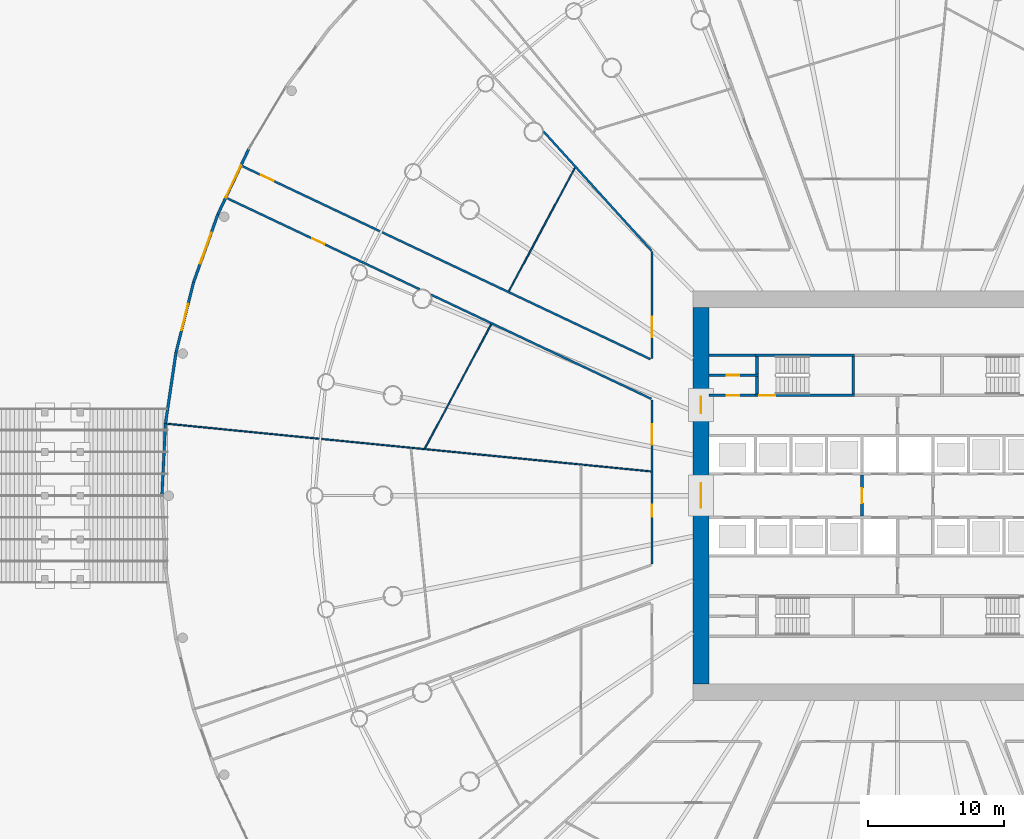
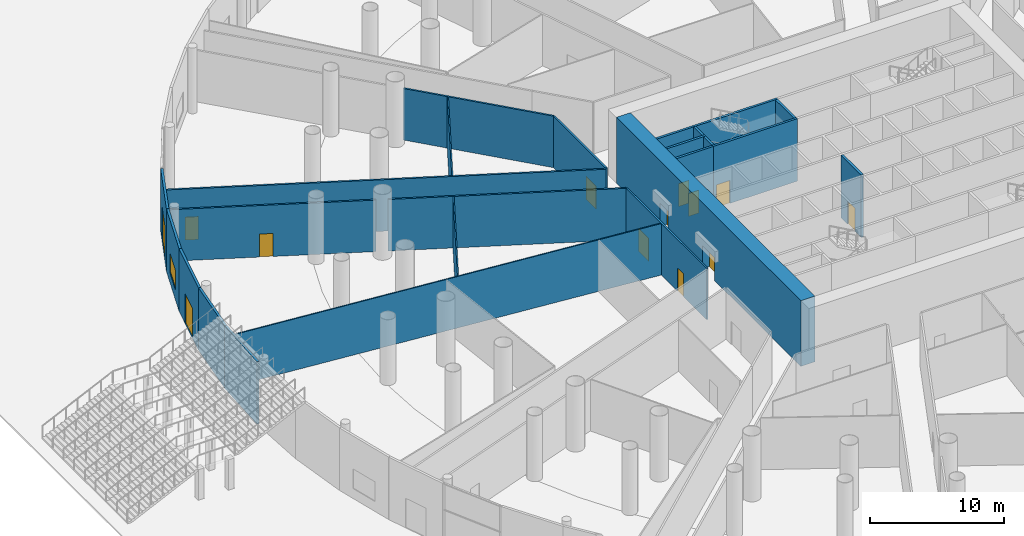
# One storey, part 18 of 33: 24 walls, 13 doors, 1 window, 14 openings.
"""IFC4 building model written with IfcOpenShell, lengths in metres."""

from ifc_helpers import new_model, si_unit, direction, frame, frame_2d, origin, place, context, subcontext, project, spatial, polyline, rectangle, outline, extrude, material, layer, layer_set, type_object, element, fill, save


model = new_model("IFC4")

# Units and contexts
model_context = context("Model", 3, precision=1e-05, world=origin(), true_north=direction((0.0, 1.0)))
body_context = subcontext(model_context, "Body", "Model", "MODEL_VIEW")
ifc_project = project(units=[si_unit("LENGTHUNIT", "METRE"), si_unit("AREAUNIT", "SQUARE_METRE"), si_unit("VOLUMEUNIT", "CUBIC_METRE"), si_unit("PLANEANGLEUNIT", "RADIAN"), si_unit("MASSUNIT", "GRAM", prefix="KILO")], contexts=[model_context])

# Site, building, storey
site_placement = place(None, origin())
site = spatial("IfcSite", under=ifc_project, at=site_placement, CompositionType="ELEMENT")
building_placement = place(site_placement, origin())
building = spatial("IfcBuilding", under=site, at=building_placement, Name="Corvane Civic Tower", CompositionType="ELEMENT")
storey_placement = place(building_placement, origin())
storey = spatial("IfcBuildingStorey", under=building, at=storey_placement, Name="G", CompositionType="ELEMENT", Elevation=0.0)

# Wall, openings, doors
ifc_material_1 = material(Name="Concrete C80/95", Category="concrete")
ifc_layer_1 = layer(ifc_material_1, 1.199951171875)
ifc_layer_set_1 = layer_set([ifc_layer_1], Name="Concrete C80/95")
wall_type_1 = type_object("IfcWallType", Name="CORE WALL 1200 C80/95", PredefinedType="SHEAR", material=ifc_layer_set_1)
wall_1_placement = place(storey_placement, frame((-14.39990234375, -13.800048828125, 0.0), z_axis=(0.0, 0.0, 1.0), x_axis=(0.0, 1.0, 0.0)))
wall_1 = element("IfcWall", 1, at=wall_1_placement, inside=storey, type_object=wall_type_1, Name="W-G-core-W", PredefinedType="SHEAR", context=body_context, shape_type="SweptSolid", body=[
    extrude(rectangle(XDim=27.60009765625, YDim=1.199951171875, at=frame_2d((13.800048828125, 0.0))), origin(), (0.0, 0.0, 1.0), 6.0),
])
opening_1_placement = place(wall_1_placement, frame((12.89990234375, 0.0, 0.0)))
opening_1 = element("IfcOpeningElement", 2, at=opening_1_placement, cuts=wall_1, Name="Opening G.C22", PredefinedType="OPENING", context=body_context, shape_type="SweptSolid", body=[
    extrude(rectangle(XDim=1.800048828125, YDim=2.10009765625, at=frame_2d((0.89990234375, 1.050048828125))), frame((0.0, 0.60986328125, 0.0), z_axis=(0.0, -1.0, 0.0), x_axis=(1.0, 0.0, 0.0)), (0.0, 0.0, 1.0), 1.219970703125),
])
opening_2_placement = place(wall_1_placement, frame((19.85009765625, 0.0, 0.0)))
opening_2 = element("IfcOpeningElement", 3, at=opening_2_placement, cuts=wall_1, Name="Opening G.C24", PredefinedType="OPENING", context=body_context, shape_type="SweptSolid", body=[
    extrude(rectangle(XDim=1.199951171875, YDim=2.10009765625, at=frame_2d((0.60009765625, 1.050048828125))), frame((0.0, 0.60986328125, 0.0), z_axis=(0.0, -1.0, 0.0), x_axis=(1.0, 0.0, 0.0)), (0.0, 0.0, 1.0), 1.219970703125),
])
ifc_material_2 = material(Name="Steel fire door leaf", Category="steel")
door_type_1 = type_object("IfcDoorType", Name="CR-DOOR-CORE-1800", OperationType="DOUBLE_DOOR_SINGLE_SWING", PredefinedType="DOOR", material=ifc_material_2)
door_1_placement = place(opening_1_placement, origin())
door_1 = element("IfcDoor", 4, at=door_1_placement, inside=storey, type_object=door_type_1, Name="G door", OperationType="DOUBLE_DOOR_SINGLE_SWING", OverallHeight=2.10009765625, OverallWidth=1.800048828125, PredefinedType="DOOR", context=body_context, shape_type="SweptSolid", body=[
    extrude(rectangle(XDim=1.800048828125, YDim=2.10009765625, at=frame_2d((0.89990234375, 1.050048828125))), frame((0.0, 0.02490234375, 0.0), z_axis=(0.0, -1.0, 0.0), x_axis=(1.0, 0.0, 0.0)), (0.0, 0.0, 1.0), 0.050048828125),
])
fill(opening_1, door_1)
door_2_placement = place(opening_2_placement, origin())
door_2 = element("IfcDoor", 5, at=door_2_placement, inside=storey, type_object=door_type_1, Name="G door", OperationType="DOUBLE_DOOR_SINGLE_SWING", OverallHeight=2.10009765625, OverallWidth=1.199951171875, PredefinedType="DOOR", context=body_context, shape_type="SweptSolid", body=[
    extrude(rectangle(XDim=1.199951171875, YDim=2.10009765625, at=frame_2d((0.60009765625, 1.050048828125))), frame((0.0, 0.02490234375, 0.0), z_axis=(0.0, -1.0, 0.0), x_axis=(1.0, 0.0, 0.0)), (0.0, 0.0, 1.0), 0.050048828125),
])
fill(opening_2, door_2)

# Wall, opening, door
ifc_material_3 = material(Name="Concrete C30/37", Category="concrete")
ifc_layer_2 = layer(ifc_material_3, 0.199951171875)
ifc_layer_set_2 = layer_set([ifc_layer_2], Name="Concrete C30/37")
wall_type_2 = type_object("IfcWallType", Name="CR-WALL-200", PredefinedType="PARTITIONING", material=ifc_layer_set_2)
wall_2_placement = place(storey_placement, frame((-13.800048828125, 7.35009765625, 0.0), z_axis=(0.0, 0.0, 1.0), x_axis=(1.0, 0.0, 0.0)))
wall_2 = element("IfcWall", 6, at=wall_2_placement, inside=storey, type_object=wall_type_2, Name="G core partition wall", PredefinedType="PARTITIONING", context=body_context, shape_type="SweptSolid", body=[
    extrude(rectangle(XDim=3.400146484375, YDim=0.199951171875, at=frame_2d((1.7001953125, 0.0))), origin(), (0.0, 0.0, 1.0), 5.699951171875),
])
opening_3_placement = place(wall_2_placement, frame((1.300048828125, 0.0, 0.0)))
opening_3 = element("IfcOpeningElement", 7, at=opening_3_placement, cuts=wall_2, Name="Opening G.C06", PredefinedType="OPENING", context=body_context, shape_type="SweptSolid", body=[
    extrude(rectangle(XDim=0.89990234375, YDim=2.10009765625, at=frame_2d((0.449951171875, 1.050048828125))), frame((0.0, 0.10986328125, 0.0), z_axis=(0.0, -1.0, 0.0), x_axis=(1.0, 0.0, 0.0)), (0.0, 0.0, 1.0), 0.219970703125),
])
ifc_material_4 = material(Name="Steel fire door leaf", Category="steel")
door_type_2 = type_object("IfcDoorType", Name="CR-DOOR-900", OperationType="SINGLE_SWING_LEFT", PredefinedType="DOOR", material=ifc_material_4)
door_3_placement = place(opening_3_placement, origin())
door_3 = element("IfcDoor", 8, at=door_3_placement, inside=storey, type_object=door_type_2, Name="G door", OperationType="SINGLE_SWING_LEFT", OverallHeight=2.10009765625, OverallWidth=0.89990234375, PredefinedType="DOOR", context=body_context, shape_type="SweptSolid", body=[
    extrude(rectangle(XDim=0.89990234375, YDim=2.10009765625, at=frame_2d((0.449951171875, 1.050048828125))), frame((0.0, 0.02490234375, 0.0), z_axis=(0.0, -1.0, 0.0), x_axis=(1.0, 0.0, 0.0)), (0.0, 0.0, 1.0), 0.050048828125),
])
fill(opening_3, door_3)

wall_3_placement = place(storey_placement, frame((-13.800048828125, 8.824951171875, 0.0), z_axis=(0.0, 0.0, 1.0), x_axis=(1.0, 0.0, 0.0)))
wall_3 = element("IfcWall", 9, at=wall_3_placement, inside=storey, type_object=wall_type_2, Name="G partition wall", PredefinedType="PARTITIONING", context=body_context, shape_type="SweptSolid", body=[
    extrude(rectangle(XDim=3.60009765625, YDim=0.199951171875, at=frame_2d((1.800048828125, 0.0))), origin(), (0.0, 0.0, 1.0), 5.699951171875),
])
opening_4_placement = place(wall_3_placement, frame((1.300048828125, 0.0, 0.0)))
opening_4 = element("IfcOpeningElement", 10, at=opening_4_placement, cuts=wall_3, Name="Opening G.C07", PredefinedType="OPENING", context=body_context, shape_type="SweptSolid", body=[
    extrude(rectangle(XDim=0.89990234375, YDim=2.10009765625, at=frame_2d((0.449951171875, 1.050048828125))), frame((0.0, 0.10986328125, 0.0), z_axis=(0.0, -1.0, 0.0), x_axis=(1.0, 0.0, 0.0)), (0.0, 0.0, 1.0), 0.219970703125),
])
door_4_placement = place(opening_4_placement, origin())
door_4 = element("IfcDoor", 11, at=door_4_placement, inside=storey, type_object=door_type_2, Name="G door", OperationType="SINGLE_SWING_LEFT", OverallHeight=2.10009765625, OverallWidth=0.89990234375, PredefinedType="DOOR", context=body_context, shape_type="SweptSolid", body=[
    extrude(rectangle(XDim=0.89990234375, YDim=2.10009765625, at=frame_2d((0.449951171875, 1.050048828125))), frame((0.0, 0.02490234375, 0.0), z_axis=(0.0, -1.0, 0.0), x_axis=(1.0, 0.0, 0.0)), (0.0, 0.0, 1.0), 0.050048828125),
])
fill(opening_4, door_4)

wall_4_placement = place(storey_placement, frame((-2.60009765625, -1.5, 0.0), z_axis=(0.0, 0.0, 1.0), x_axis=(0.0, 1.0, 0.0)))
wall_4 = element("IfcWall", 12, at=wall_4_placement, inside=storey, type_object=wall_type_2, Name="G firefighting lobby wall", PredefinedType="PARTITIONING", context=body_context, shape_type="SweptSolid", body=[
    extrude(rectangle(XDim=3.0, YDim=0.199951171875, at=frame_2d((1.5, 0.0))), origin(), (0.0, 0.0, 1.0), 5.699951171875),
])
opening_5_placement = place(wall_4_placement, frame((0.949951171875, 0.0, 0.0)))
opening_5 = element("IfcOpeningElement", 13, at=opening_5_placement, cuts=wall_4, Name="Opening G.C18", PredefinedType="OPENING", context=body_context, shape_type="SweptSolid", body=[
    extrude(rectangle(XDim=1.10009765625, YDim=2.10009765625, at=frame_2d((0.550048828125, 1.050048828125))), frame((0.0, 0.10986328125, 0.0), z_axis=(0.0, -1.0, 0.0), x_axis=(1.0, 0.0, 0.0)), (0.0, 0.0, 1.0), 0.219970703125),
])
ifc_material_5 = material(Name="Steel fire door leaf", Category="steel")
door_type_3 = type_object("IfcDoorType", Name="CR-DOOR-FFL-1100", OperationType="SINGLE_SWING_LEFT", PredefinedType="DOOR", material=ifc_material_5)
door_5_placement = place(opening_5_placement, origin())
door_5 = element("IfcDoor", 14, at=door_5_placement, inside=storey, type_object=door_type_3, Name="G lobby door", OperationType="SINGLE_SWING_LEFT", OverallHeight=2.10009765625, OverallWidth=1.10009765625, PredefinedType="DOOR", context=body_context, shape_type="SweptSolid", body=[
    extrude(rectangle(XDim=1.10009765625, YDim=2.10009765625, at=frame_2d((0.550048828125, 1.050048828125))), frame((0.0, 0.02490234375, 0.0), z_axis=(0.0, -1.0, 0.0), x_axis=(1.0, 0.0, 0.0)), (0.0, 0.0, 1.0), 0.050048828125),
])
fill(opening_5, door_5)

# Walls
wall_5_placement = place(storey_placement, origin())
element("IfcWall", 15, at=wall_5_placement, inside=storey, type_object=wall_type_2, Name="G core partition wall", PredefinedType="PARTITIONING", context=body_context, shape_type="SweptSolid", body=[
    extrude(outline(polyline([(-13.800048828125, 10.199951171875), (-13.800048828125, 10.39990234375), (-10.39990234375, 10.39990234375), (-10.39990234375, 10.199951171875), (-13.800048828125, 10.199951171875)])), origin(), (0.0, 0.0, 1.0), 5.699951171875),
])
ifc_material_6 = material(Name="Limestone cladding", Category="masonry")
ifc_layer_3 = layer(ifc_material_6, 0.199951171875)
ifc_layer_set_3 = layer_set([ifc_layer_3], Name="Limestone cladding")
wall_type_3 = type_object("IfcWallType", Name="PODIUM-W-PLINTH-200", PredefinedType="SOLIDWALL", material=ifc_layer_set_3)
for number, where, z_axis, x_axis, name in (
    (16, (-53.899658203125, 0.005126953125, 0.0), (0.0, 0.0, 1.0), (0.0490657505, 0.998795550715, 0.0), "Plinth stone wall 25A"),
    (17, (-53.6396484375, 5.2880859375, 0.0), (0.0, 0.0, 1.0), (0.146734692875, 0.989175884212, 0.0), "Plinth stone wall 25B"),
):
    element("IfcWall", number, at=place(storey_placement, frame(where, z_axis=z_axis, x_axis=x_axis)), inside=storey, type_object=wall_type_3, Name=name, PredefinedType="SOLIDWALL", context=body_context, shape_type="SweptSolid", body=[
        extrude(rectangle(XDim=5.279296875, YDim=0.199951171875, at=frame_2d((2.6396484375, 0.0))), origin(), (0.0, 0.0, 1.0), 5.699951171875),
    ])

# Wall, opening, door
wall_6_placement = place(storey_placement, frame((-52.863037109375, 10.520263671875, 0.0), z_axis=(0.0, 0.0, 1.0), x_axis=(0.243014361132, 0.970022690602, 0.0)))
wall_6 = element("IfcWall", 18, at=wall_6_placement, inside=storey, type_object=wall_type_3, Name="Plinth stone wall 26A", PredefinedType="SOLIDWALL", context=body_context, shape_type="SweptSolid", body=[
    extrude(rectangle(XDim=5.279296875, YDim=0.199951171875, at=frame_2d((2.6396484375, 0.0))), origin(), (0.0, 0.0, 1.0), 5.699951171875),
])
opening_6_placement = place(wall_6_placement, frame((1.6396484375, 0.0, 0.0)))
opening_6 = element("IfcOpeningElement", 19, at=opening_6_placement, cuts=wall_6, Name="Opening ED-G-X26", PredefinedType="OPENING", context=body_context, shape_type="SweptSolid", body=[
    extrude(rectangle(XDim=2.0, YDim=2.699951171875, at=frame_2d((1.0, 1.35009765625))), frame((0.0, 0.10986328125, 0.0), z_axis=(0.0, -1.0, 0.0), x_axis=(1.0, 0.0, 0.0)), (0.0, 0.0, 1.0), 0.219970703125),
])
ifc_material_7 = material(Name="Anodised aluminium and glass", Category="aluminium")
door_type_4 = type_object("IfcDoorType", Name="PODIUM-D-EXIT-2000", OperationType="DOUBLE_DOOR_SINGLE_SWING", PredefinedType="DOOR", material=ifc_material_7)
door_6_placement = place(opening_6_placement, origin())
door_6 = element("IfcDoor", 20, at=door_6_placement, inside=storey, type_object=door_type_4, Name="Exit door 26", OperationType="DOUBLE_DOOR_SINGLE_SWING", OverallHeight=2.699951171875, OverallWidth=2.0, PredefinedType="DOOR", context=body_context, shape_type="SweptSolid", body=[
    extrude(rectangle(XDim=2.0, YDim=2.699951171875, at=frame_2d((1.0, 1.35009765625))), frame((0.0, 0.02490234375, 0.0), z_axis=(0.0, -1.0, 0.0), x_axis=(1.0, 0.0, 0.0)), (0.0, 0.0, 1.0), 0.050048828125),
])
fill(opening_6, door_6)

# Wall, opening, window
wall_7_placement = place(storey_placement, frame((-51.577392578125, 15.65087890625, 0.0), z_axis=(0.0, 0.0, 1.0), x_axis=(0.336933944331, 0.941528288028, 0.0)))
wall_7 = element("IfcWall", 21, at=wall_7_placement, inside=storey, type_object=wall_type_3, Name="Plinth stone wall 26B", PredefinedType="SOLIDWALL", context=body_context, shape_type="SweptSolid", body=[
    extrude(rectangle(XDim=5.279296875, YDim=0.199951171875, at=frame_2d((2.6396484375, 0.0))), origin(), (0.0, 0.0, 1.0), 5.699951171875),
])
opening_7_placement = place(wall_7_placement, frame((1.439697265625, 0.0, 0.89990234375)))
opening_7 = element("IfcOpeningElement", 22, at=opening_7_placement, cuts=wall_7, Name="Opening EW-G-26", PredefinedType="OPENING", context=body_context, shape_type="SweptSolid", body=[
    extrude(rectangle(XDim=2.39990234375, YDim=1.800048828125, at=frame_2d((1.199951171875, 0.89990234375))), frame((0.0, 0.10986328125, 0.0), z_axis=(0.0, -1.0, 0.0), x_axis=(1.0, 0.0, 0.0)), (0.0, 0.0, 1.0), 0.219970703125),
])
ifc_material_8 = material(Name="Anodised aluminium and glass", Category="aluminium")
window_type = type_object("IfcWindowType", Name="PODIUM-WN-PLINTH-2400x1800", PartitioningType="DOUBLE_PANEL_VERTICAL", PredefinedType="WINDOW", material=ifc_material_8)
window_placement = place(opening_7_placement, origin())
window = element("IfcWindow", 23, at=window_placement, inside=storey, type_object=window_type, Name="Public hall window 26", OverallHeight=1.800048828125, OverallWidth=2.39990234375, PartitioningType="SINGLE_PANEL", PredefinedType="WINDOW", context=body_context, shape_type="SweptSolid", body=[
    extrude(rectangle(XDim=2.39990234375, YDim=1.800048828125, at=frame_2d((1.199951171875, 0.89990234375))), frame((0.0, 0.030029296875, 0.0), z_axis=(0.0, -1.0, 0.0), x_axis=(1.0, 0.0, 0.0)), (0.0, 0.0, 1.0), 0.06005859375),
])
fill(opening_7, window)

# Wall, opening, door
wall_8_placement = place(storey_placement, frame((-49.794677734375, 20.631103515625, 0.0), z_axis=(0.0, 0.0, 1.0), x_axis=(0.427535614211, 0.903998505851, 0.0)))
wall_8 = element("IfcWall", 24, at=wall_8_placement, inside=storey, type_object=wall_type_3, Name="Plinth stone wall 27A", PredefinedType="SOLIDWALL", context=body_context, shape_type="SweptSolid", body=[
    extrude(rectangle(XDim=5.279296875, YDim=0.199951171875, at=frame_2d((2.6396484375, 0.0))), origin(), (0.0, 0.0, 1.0), 5.699951171875),
])
opening_8_placement = place(wall_8_placement, frame((1.339599609375, 0.0, 0.0)))
opening_8 = element("IfcOpeningElement", 25, at=opening_8_placement, cuts=wall_8, Name="Opening ED-G-E27", PredefinedType="OPENING", context=body_context, shape_type="SweptSolid", body=[
    extrude(rectangle(XDim=2.60009765625, YDim=3.199951171875, at=frame_2d((1.300048828125, 1.60009765625))), frame((0.0, 0.10986328125, 0.0), z_axis=(0.0, -1.0, 0.0), x_axis=(1.0, 0.0, 0.0)), (0.0, 0.0, 1.0), 0.219970703125),
])
ifc_material_9 = material(Name="Anodised aluminium and glass", Category="aluminium")
door_type_5 = type_object("IfcDoorType", Name="PODIUM-D-ENTRANCE-2600", OperationType="DOUBLE_DOOR_DOUBLE_SWING", PredefinedType="DOOR", material=ifc_material_9)
door_7_placement = place(opening_8_placement, origin())
door_7 = element("IfcDoor", 26, at=door_7_placement, inside=storey, type_object=door_type_5, Name="Entrance door 27", OperationType="DOUBLE_DOOR_DOUBLE_SWING", OverallHeight=3.199951171875, OverallWidth=2.60009765625, PredefinedType="DOOR", context=body_context, shape_type="SweptSolid", body=[
    extrude(rectangle(XDim=2.60009765625, YDim=3.199951171875, at=frame_2d((1.300048828125, 1.60009765625))), frame((0.0, 0.02490234375, 0.0), z_axis=(0.0, -1.0, 0.0), x_axis=(1.0, 0.0, 0.0)), (0.0, 0.0, 1.0), 0.050048828125),
])
fill(opening_8, door_7)

# Walls
ifc_material_10 = material(Name="Plasterboard")
ifc_layer_4 = layer(ifc_material_10, 0.10009765625)
ifc_layer_set_4 = layer_set([ifc_layer_4], Name="Plasterboard")
wall_type_4 = type_object("IfcWallType", Name="Partition 100 plasterboard on studs", PredefinedType="PARTITIONING", material=ifc_layer_set_4)
wall_9_placement = place(storey_placement, frame((-53.4912109375, 5.268310546875, 0.0), z_axis=(0.0, 0.0, 1.0), x_axis=(0.995185185519, -0.098012481472, 0.0)))
element("IfcWall", 27, at=wall_9_placement, inside=storey, type_object=wall_type_4, Name="Partition G.058", PredefinedType="PARTITIONING", context=body_context, shape_type="SweptSolid", body=[
    extrude(rectangle(XDim=35.582763671875, YDim=0.10009765625, at=frame_2d((17.79150390625, 0.0))), origin(), (0.0, 0.0, 1.0), 4.699951171875),
])
wall_10_placement = place(storey_placement, frame((-34.624267578125, 3.479736328125, 0.0), z_axis=(0.0, 0.0, 1.0), x_axis=(0.47139317524, 0.881923168047, 0.0)))
element("IfcWall", 28, at=wall_10_placement, inside=storey, type_object=wall_type_4, Name="Partition G.059", PredefinedType="PARTITIONING", context=body_context, shape_type="SweptSolid", body=[
    extrude(rectangle(XDim=10.29296875, YDim=0.10009765625, at=frame_2d((5.146484375, 0.0))), origin(), (0.0, 0.0, 1.0), 4.699951171875),
])
wall_11_placement = place(storey_placement, frame((-28.471923828125, 14.989990234375, 0.0), z_axis=(0.0, 0.0, 1.0), x_axis=(0.471413733763, 0.881912179086, 0.0)))
element("IfcWall", 29, at=wall_11_placement, inside=storey, type_object=wall_type_4, Name="Partition G.070", PredefinedType="PARTITIONING", context=body_context, shape_type="SweptSolid", body=[
    extrude(rectangle(XDim=10.236083984375, YDim=0.10009765625, at=frame_2d((5.1181640625, 0.0))), origin(), (0.0, 0.0, 1.0), 4.699951171875),
])

# Wall, opening, door
ifc_material_11 = material(Name="Concrete C50/60", Category="concrete")
ifc_layer_5 = layer(ifc_material_11, 0.199951171875)
ifc_layer_set_5 = layer_set([ifc_layer_5], Name="Concrete C50/60")
wall_type_5 = type_object("IfcWallType", Name="ST-WALL-200", PredefinedType="SHEAR", material=ifc_layer_set_5)
wall_12_placement = place(storey_placement, frame((-10.39990234375, 7.35009765625, 0.0), z_axis=(0.0, 0.0, 1.0), x_axis=(1.0, 0.0, 0.0)))
wall_12 = element("IfcWall", 30, at=wall_12_placement, inside=storey, type_object=wall_type_5, Name="G stair enclosure wall", PredefinedType="SHEAR", context=body_context, shape_type="SweptSolid", body=[
    extrude(rectangle(XDim=7.25, YDim=0.199951171875, at=frame_2d((3.625, 0.0))), origin(), (0.0, 0.0, 1.0), 5.699951171875),
])
opening_9_placement = place(wall_12_placement, frame((0.25, 0.0, 0.0)))
opening_9 = element("IfcOpeningElement", 31, at=opening_9_placement, cuts=wall_12, Name="Opening G.C15", PredefinedType="OPENING", context=body_context, shape_type="SweptSolid", body=[
    extrude(rectangle(XDim=1.199951171875, YDim=2.10009765625, at=frame_2d((0.60009765625, 1.050048828125))), frame((0.0, 0.10986328125, 0.0), z_axis=(0.0, -1.0, 0.0), x_axis=(1.0, 0.0, 0.0)), (0.0, 0.0, 1.0), 0.219970703125),
])
ifc_material_12 = material(Name="Steel fire door leaf", Category="steel")
door_type_6 = type_object("IfcDoorType", Name="ST-DOOR-1200", OperationType="SINGLE_SWING_RIGHT", PredefinedType="DOOR", material=ifc_material_12)
door_8_placement = place(opening_9_placement, origin())
door_8 = element("IfcDoor", 32, at=door_8_placement, inside=storey, type_object=door_type_6, Name="G stair door", OperationType="SINGLE_SWING_RIGHT", OverallHeight=2.10009765625, OverallWidth=1.199951171875, PredefinedType="DOOR", context=body_context, shape_type="SweptSolid", body=[
    extrude(rectangle(XDim=1.199951171875, YDim=2.10009765625, at=frame_2d((0.60009765625, 1.050048828125))), frame((0.0, 0.02490234375, 0.0), z_axis=(0.0, -1.0, 0.0), x_axis=(1.0, 0.0, 0.0)), (0.0, 0.0, 1.0), 0.050048828125),
])
fill(opening_9, door_8)

# Walls
wall_13_placement = place(storey_placement, origin())
element("IfcWall", 33, at=wall_13_placement, inside=storey, type_object=wall_type_5, Name="G stair enclosure wall", PredefinedType="SHEAR", context=body_context, shape_type="SweptSolid", body=[
    extrude(outline(polyline([(-3.14990234375, 10.199951171875), (-10.39990234375, 10.199951171875), (-10.39990234375, 10.39990234375), (-3.14990234375, 10.39990234375), (-3.14990234375, 10.199951171875)])), origin(), (0.0, 0.0, 1.0), 5.699951171875),
])
wall_14_placement = place(storey_placement, origin())
element("IfcWall", 34, at=wall_14_placement, inside=storey, type_object=wall_type_5, Name="G stair enclosure wall", PredefinedType="SHEAR", context=body_context, shape_type="SweptSolid", body=[
    extrude(outline(polyline([(-3.14990234375, 7.449951171875), (-3.35009765625, 7.449951171875), (-3.35009765625, 10.199951171875), (-3.14990234375, 10.199951171875), (-3.14990234375, 7.449951171875)])), origin(), (0.0, 0.0, 1.0), 5.699951171875),
])
wall_15_placement = place(storey_placement, origin())
element("IfcWall", 35, at=wall_15_placement, inside=storey, type_object=wall_type_5, Name="G stair enclosure wall", PredefinedType="SHEAR", context=body_context, shape_type="SweptSolid", body=[
    extrude(outline(polyline([(-10.199951171875, 8.72509765625), (-10.199951171875, 7.449951171875), (-10.39990234375, 7.449951171875), (-10.39990234375, 8.72509765625), (-10.199951171875, 8.72509765625)])), origin(), (0.0, 0.0, 1.0), 5.699951171875),
])
wall_16_placement = place(storey_placement, origin())
element("IfcWall", 36, at=wall_16_placement, inside=storey, type_object=wall_type_5, Name="G stair enclosure wall", PredefinedType="SHEAR", context=body_context, shape_type="SweptSolid", body=[
    extrude(outline(polyline([(-10.199951171875, 8.925048828125), (-10.39990234375, 8.925048828125), (-10.39990234375, 10.199951171875), (-10.199951171875, 10.199951171875), (-10.199951171875, 8.925048828125)])), origin(), (0.0, 0.0, 1.0), 5.699951171875),
])

# Wall, openings, doors
ifc_material_13 = material(Name="Plasterboard")
ifc_layer_6 = layer(ifc_material_13, 0.14990234375)
ifc_layer_set_6 = layer_set([ifc_layer_6], Name="Plasterboard")
wall_type_6 = type_object("IfcWallType", Name="Tenancy wall 150 EI 60", PredefinedType="PARTITIONING", material=ifc_layer_set_6)
wall_17_placement = place(storey_placement, frame((-18.0, -5.007080078125, 0.0), z_axis=(0.0, 0.0, 1.0), x_axis=(0.0, 1.0, 0.0)))
wall_17 = element("IfcWall", 37, at=wall_17_placement, inside=storey, type_object=wall_type_6, Name="Partition G.054", PredefinedType="PARTITIONING", context=body_context, shape_type="SweptSolid", body=[
    extrude(rectangle(XDim=12.034912109375, YDim=0.14990234375, at=frame_2d((6.017578125, 0.0))), origin(), (0.0, 0.0, 1.0), 4.699951171875),
])
opening_10_placement = place(wall_17_placement, frame((3.459228515625, 0.0, 0.0)))
opening_10 = element("IfcOpeningElement", 38, at=opening_10_placement, cuts=wall_17, Name="Opening G.038", PredefinedType="OPENING", context=body_context, shape_type="SweptSolid", body=[
    extrude(rectangle(XDim=0.89990234375, YDim=2.10009765625, at=frame_2d((0.449951171875, 1.050048828125))), frame((0.0, 0.0849609375, 0.0), z_axis=(0.0, -1.0, 0.0), x_axis=(1.0, 0.0, 0.0)), (0.0, 0.0, 1.0), 0.169921875),
])
opening_11_placement = place(wall_17_placement, frame((8.7451171875, 0.0, 0.0)))
opening_11 = element("IfcOpeningElement", 39, at=opening_11_placement, cuts=wall_17, Name="Opening G.042", PredefinedType="OPENING", context=body_context, shape_type="SweptSolid", body=[
    extrude(rectangle(XDim=1.5, YDim=2.10009765625, at=frame_2d((0.75, 1.050048828125))), frame((0.0, 0.0849609375, 0.0), z_axis=(0.0, -1.0, 0.0), x_axis=(1.0, 0.0, 0.0)), (0.0, 0.0, 1.0), 0.169921875),
])
ifc_material_14 = material(Name="Steel and timber", Category="steel")
door_type_7 = type_object("IfcDoorType", Name="Fire door FD30S 900", OperationType="NOTDEFINED", PredefinedType="DOOR", material=ifc_material_14)
door_9_placement = place(opening_10_placement, origin())
door_9 = element("IfcDoor", 40, at=door_9_placement, inside=storey, type_object=door_type_7, Name="Door G.038", OperationType="SINGLE_SWING_LEFT", OverallHeight=2.10009765625, OverallWidth=0.89990234375, PredefinedType="DOOR", context=body_context, shape_type="SweptSolid", body=[
    extrude(rectangle(XDim=0.89990234375, YDim=2.10009765625, at=frame_2d((0.449951171875, 1.050048828125))), frame((0.0, 0.02490234375, 0.0), z_axis=(0.0, -1.0, 0.0), x_axis=(1.0, 0.0, 0.0)), (0.0, 0.0, 1.0), 0.050048828125),
])
fill(opening_10, door_9)
ifc_material_15 = material(Name="Steel and timber", Category="steel")
door_type_8 = type_object("IfcDoorType", Name="Fire door FD60 double 1500", OperationType="NOTDEFINED", PredefinedType="DOOR", material=ifc_material_15)
door_10_placement = place(opening_11_placement, origin())
door_10 = element("IfcDoor", 41, at=door_10_placement, inside=storey, type_object=door_type_8, Name="Door G.042", OperationType="DOUBLE_DOOR_SINGLE_SWING", OverallHeight=2.10009765625, OverallWidth=1.5, PredefinedType="DOOR", context=body_context, shape_type="SweptSolid", body=[
    extrude(rectangle(XDim=1.5, YDim=2.10009765625, at=frame_2d((0.75, 1.050048828125))), frame((0.0, 0.02490234375, 0.0), z_axis=(0.0, -1.0, 0.0), x_axis=(1.0, 0.0, 0.0)), (0.0, 0.0, 1.0), 0.050048828125),
])
fill(opening_11, door_10)

# Wall
wall_18_placement = place(storey_placement, frame((-34.190185546875, 14.73291015625, 0.0), z_axis=(0.0, 0.0, 1.0), x_axis=(0.903986214912, -0.427561601701, 0.0)))
element("IfcWall", 42, at=wall_18_placement, inside=storey, type_object=wall_type_6, Name="Partition G.061", PredefinedType="PARTITIONING", context=body_context, shape_type="SweptSolid", body=[
    extrude(rectangle(XDim=17.8623046875, YDim=0.14990234375, at=frame_2d((8.93115234375, 0.0))), origin(), (0.0, 0.0, 1.0), 4.699951171875),
])

# Wall, opening, door
wall_19_placement = place(storey_placement, frame((-47.97509765625, 24.128662109375, 0.0), z_axis=(0.0, 0.0, 1.0), x_axis=(0.903989400844, -0.427554865674, 0.0)))
wall_19 = element("IfcWall", 43, at=wall_19_placement, inside=storey, type_object=wall_type_6, Name="Partition G.065", PredefinedType="PARTITIONING", context=body_context, shape_type="SweptSolid", body=[
    extrude(rectangle(XDim=33.0400390625, YDim=0.14990234375, at=frame_2d((16.52001953125, 0.0))), origin(), (0.0, 0.0, 1.0), 4.699951171875),
])
opening_12_placement = place(wall_19_placement, frame((1.4873046875, 0.0, 0.0)))
opening_12 = element("IfcOpeningElement", 44, at=opening_12_placement, cuts=wall_19, Name="Opening G.040", PredefinedType="OPENING", context=body_context, shape_type="SweptSolid", body=[
    extrude(rectangle(XDim=1.0, YDim=2.10009765625, at=frame_2d((0.5, 1.050048828125))), frame((0.0, 0.0849609375, 0.0), z_axis=(0.0, -1.0, 0.0), x_axis=(1.0, 0.0, 0.0)), (0.0, 0.0, 1.0), 0.169921875),
])
ifc_material_16 = material(Name="Steel and timber", Category="steel")
door_type_9 = type_object("IfcDoorType", Name="Fire door FD30S 1000", OperationType="NOTDEFINED", PredefinedType="DOOR", material=ifc_material_16)
door_11_placement = place(opening_12_placement, origin())
door_11 = element("IfcDoor", 45, at=door_11_placement, inside=storey, type_object=door_type_9, Name="Door G.040", OperationType="SINGLE_SWING_LEFT", OverallHeight=2.10009765625, OverallWidth=1.0, PredefinedType="DOOR", context=body_context, shape_type="SweptSolid", body=[
    extrude(rectangle(XDim=1.0, YDim=2.10009765625, at=frame_2d((0.5, 1.050048828125))), frame((0.0, 0.02490234375, 0.0), z_axis=(0.0, -1.0, 0.0), x_axis=(1.0, 0.0, 0.0)), (0.0, 0.0, 1.0), 0.050048828125),
])
fill(opening_12, door_11)

wall_20_placement = place(storey_placement, frame((-18.0, 10.06982421875, 0.0), z_axis=(0.0, 0.0, 1.0), x_axis=(0.0, 1.0, 0.0)))
wall_20 = element("IfcWall", 46, at=wall_20_placement, inside=storey, type_object=wall_type_6, Name="Partition G.066", PredefinedType="PARTITIONING", context=body_context, shape_type="SweptSolid", body=[
    extrude(rectangle(XDim=7.825439453125, YDim=0.14990234375, at=frame_2d((3.91259765625, 0.0))), origin(), (0.0, 0.0, 1.0), 4.699951171875),
])
opening_13_placement = place(wall_20_placement, frame((1.552490234375, 0.0, 0.0)))
opening_13 = element("IfcOpeningElement", 47, at=opening_13_placement, cuts=wall_20, Name="Opening G.043", PredefinedType="OPENING", context=body_context, shape_type="SweptSolid", body=[
    extrude(rectangle(XDim=1.5, YDim=2.10009765625, at=frame_2d((0.75, 1.050048828125))), frame((0.0, 0.0849609375, 0.0), z_axis=(0.0, -1.0, 0.0), x_axis=(1.0, 0.0, 0.0)), (0.0, 0.0, 1.0), 0.169921875),
])
door_12_placement = place(opening_13_placement, origin())
door_12 = element("IfcDoor", 48, at=door_12_placement, inside=storey, type_object=door_type_8, Name="Door G.043", OperationType="DOUBLE_DOOR_SINGLE_SWING", OverallHeight=2.10009765625, OverallWidth=1.5, PredefinedType="DOOR", context=body_context, shape_type="SweptSolid", body=[
    extrude(rectangle(XDim=1.5, YDim=2.10009765625, at=frame_2d((0.75, 1.050048828125))), frame((0.0, 0.02490234375, 0.0), z_axis=(0.0, -1.0, 0.0), x_axis=(1.0, 0.0, 0.0)), (0.0, 0.0, 1.0), 0.050048828125),
])
fill(opening_13, door_12)

wall_21_placement = place(storey_placement, frame((-49.086669921875, 21.7783203125, 0.0), z_axis=(0.0, 0.0, 1.0), x_axis=(0.903983974075, -0.427566339431, 0.0)))
wall_21 = element("IfcWall", 49, at=wall_21_placement, inside=storey, type_object=wall_type_6, Name="Partition G.071", PredefinedType="PARTITIONING", context=body_context, shape_type="SweptSolid", body=[
    extrude(rectangle(XDim=15.58251953125, YDim=0.14990234375, at=frame_2d((7.791259765625, 0.0))), origin(), (0.0, 0.0, 1.0), 4.699951171875),
])
opening_14_placement = place(wall_21_placement, frame((6.8525390625, 0.0, 0.0)))
opening_14 = element("IfcOpeningElement", 50, at=opening_14_placement, cuts=wall_21, Name="Opening G.039", PredefinedType="OPENING", context=body_context, shape_type="SweptSolid", body=[
    extrude(rectangle(XDim=1.0, YDim=2.10009765625, at=frame_2d((0.5, 1.050048828125))), frame((0.0, 0.0849609375, 0.0), z_axis=(0.0, -1.0, 0.0), x_axis=(1.0, 0.0, 0.0)), (0.0, 0.0, 1.0), 0.169921875),
])
door_13_placement = place(opening_14_placement, frame((1.0, 0.0, 0.0), z_axis=(0.0, 0.0, 1.0), x_axis=(-1.0, 0.0, 0.0)))
door_13 = element("IfcDoor", 51, at=door_13_placement, inside=storey, type_object=door_type_9, Name="Door G.039", OperationType="SINGLE_SWING_RIGHT", OverallHeight=2.10009765625, OverallWidth=1.0, PredefinedType="DOOR", context=body_context, shape_type="SweptSolid", body=[
    extrude(rectangle(XDim=1.0, YDim=2.10009765625, at=frame_2d((0.5, 1.050048828125))), frame((0.0, 0.02490234375, 0.0), z_axis=(0.0, -1.0, 0.0), x_axis=(1.0, 0.0, 0.0)), (0.0, 0.0, 1.0), 0.050048828125),
])
fill(opening_14, door_13)

# Wall
wall_22_placement = place(storey_placement, frame((-25.94970703125, 26.6953125, 0.0), z_axis=(0.0, 0.0, 1.0), x_axis=(0.67156376523, -0.740946765449, 0.0)))
element("IfcWall", 52, at=wall_22_placement, inside=storey, type_object=wall_type_6, Name="Partition G.074", PredefinedType="PARTITIONING", context=body_context, shape_type="SweptSolid", body=[
    extrude(rectangle(XDim=11.808837890625, YDim=0.14990234375, at=frame_2d((5.904296875, 0.0))), origin(), (0.0, 0.0, 1.0), 4.699951171875),
])

save(model, "model.ifc")
